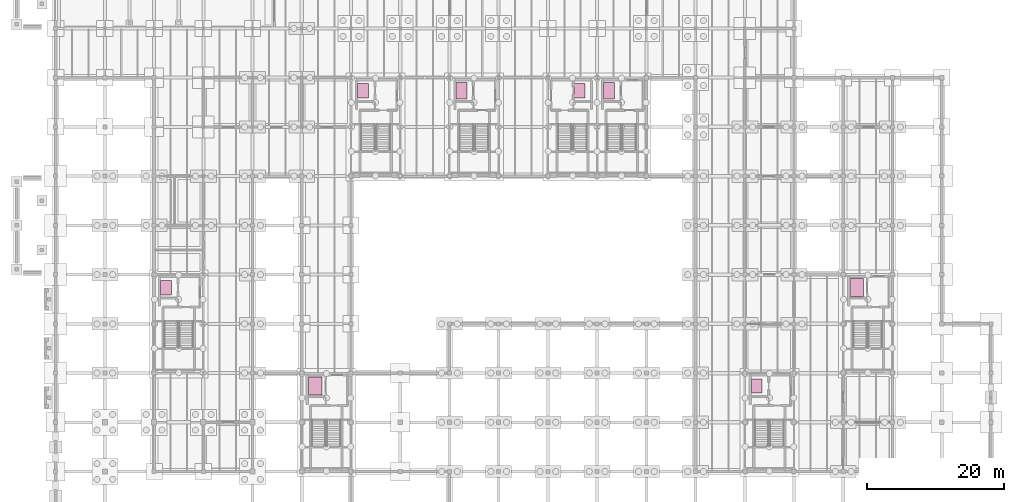
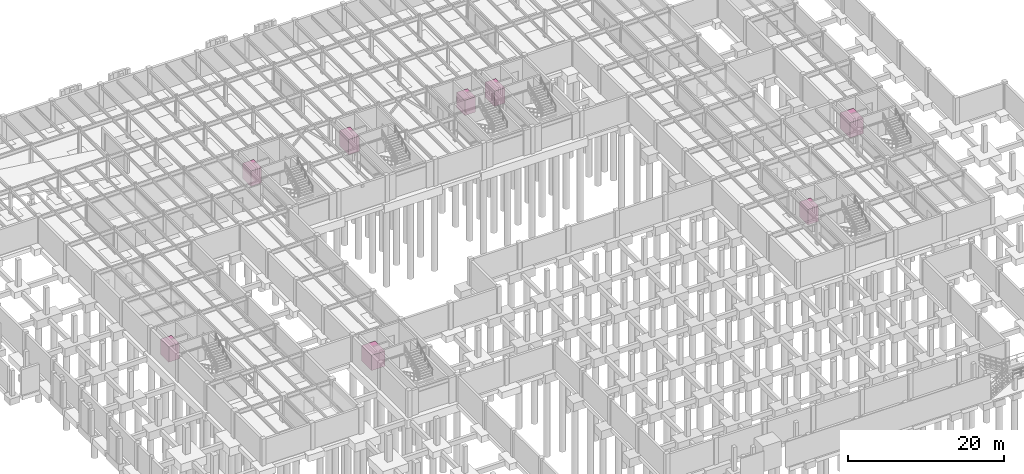
# One storey, part 46 of 46: 8 transport elements.
"""IFC4 building model written with IfcOpenShell, lengths in metres."""

from ifc_helpers import new_model, si_unit, direction, frame, origin, origin_2d, place, context, subcontext, project, spatial, rectangle, extrude, material, type_object, element, save


model = new_model("IFC4")

# Units and contexts
model_context = context("Model", 3, precision=1e-05, world=origin(), true_north=direction((0.0, 1.0)))
body_context = subcontext(model_context, "Body", "Model", "MODEL_VIEW")
ifc_project = project(units=[si_unit("LENGTHUNIT", "METRE"), si_unit("AREAUNIT", "SQUARE_METRE"), si_unit("VOLUMEUNIT", "CUBIC_METRE"), si_unit("PLANEANGLEUNIT", "RADIAN"), si_unit("MASSUNIT", "GRAM", prefix="KILO")], contexts=[model_context])

# Site, building, storey
site_placement = place(None, origin())
site = spatial("IfcSite", under=ifc_project, at=site_placement, CompositionType="ELEMENT")
building_placement = place(site_placement, origin())
building = spatial("IfcBuilding", under=site, at=building_placement, Name="Sillqori Civic Hall", CompositionType="ELEMENT")
storey_placement = place(building_placement, frame((0.0, 0.0, -4.199951171875)))
storey = spatial("IfcBuildingStorey", under=building, at=storey_placement, Name="B01", CompositionType="ELEMENT", Elevation=-4.199951171875)

# Transport elements
ifc_material_1 = material(Name="Stainless Steel Firefighting Elevator Cab", Category="steel")
transport_element_type_1 = type_object("IfcTransportElementType", Name="LFT-FIRE-1600", PredefinedType="ELEVATOR", material=ifc_material_1)
for number, where, z_axis, x_axis, name in (
    (1, (66.550048828125, 91.699951171875, 0.0), (0.0, 0.0, 1.0), (1.0, 0.0, 0.0), "Elevator LF-01 (firefighting)"),
    (2, (88.14990234375, 91.699951171875, 0.0), (0.0, 0.0, 1.0), (1.0, 0.0, 0.0), "Elevator LF-02 (firefighting)"),
):
    element("IfcTransportElement", number, at=place(storey_placement, frame(where, z_axis=z_axis, x_axis=x_axis)), inside=storey, type_object=transport_element_type_1, Name=name, PredefinedType="ELEVATOR", context=body_context, shape_type="SweptSolid", body=[
        extrude(rectangle(XDim=1.60009765625, YDim=2.39990234375, at=origin_2d()), origin(), (0.0, 0.0, 1.0), 2.39990234375),
    ])
ifc_material_2 = material(Name="Brushed Bronze and Timber Passenger Cab", Category="wood")
transport_element_type_2 = type_object("IfcTransportElementType", Name="LFT-PASS-1350", PredefinedType="ELEVATOR", material=ifc_material_2)
for number, where, z_axis, x_axis, name in (
    (3, (109.75, 48.5, 0.0), (0.0, 0.0, 1.0), (1.0, 0.0, 0.0), "Elevator LF-05 (passenger)"),
    (4, (23.35009765625, 62.89990234375, 0.0), (0.0, 0.0, 1.0), (1.0, 0.0, 0.0), "Elevator LF-06 (passenger)"),
    (5, (52.14990234375, 91.699951171875, 0.0), (0.0, 0.0, 1.0), (1.0, 0.0, 0.0), "Elevator LF-03 (passenger)"),
    (6, (83.85009765625, 91.699951171875, 0.0), (0.0, 0.0, 1.0), (1.0, 0.0, 0.0), "Elevator LF-04 (passenger)"),
):
    element("IfcTransportElement", number, at=place(storey_placement, frame(where, z_axis=z_axis, x_axis=x_axis)), inside=storey, type_object=transport_element_type_2, Name=name, PredefinedType="ELEVATOR", context=body_context, shape_type="SweptSolid", body=[
        extrude(rectangle(XDim=1.60009765625, YDim=2.10009765625, at=origin_2d()), origin(), (0.0, 0.0, 1.0), 2.39990234375),
    ])
ifc_material_3 = material(Name="Heavy-Duty Goods and Archive Lift Cab", Category="steel")
transport_element_type_3 = type_object("IfcTransportElementType", Name="LFT-SERV-2500", PredefinedType="ELEVATOR", material=ifc_material_3)
for number, where, z_axis, x_axis, name in (
    (7, (45.14990234375, 48.5, 0.0), (0.0, 0.0, 1.0), (1.0, 0.0, 0.0), "Elevator LF-07 (service)"),
    (8, (124.35009765625, 62.89990234375, 0.0), (0.0, 0.0, 1.0), (1.0, 0.0, 0.0), "Elevator LF-08 (service)"),
):
    element("IfcTransportElement", number, at=place(storey_placement, frame(where, z_axis=z_axis, x_axis=x_axis)), inside=storey, type_object=transport_element_type_3, Name=name, PredefinedType="ELEVATOR", context=body_context, shape_type="SweptSolid", body=[
        extrude(rectangle(XDim=2.0, YDim=2.60009765625, at=origin_2d()), origin(), (0.0, 0.0, 1.0), 2.39990234375),
    ])

save(model, "model.ifc")
